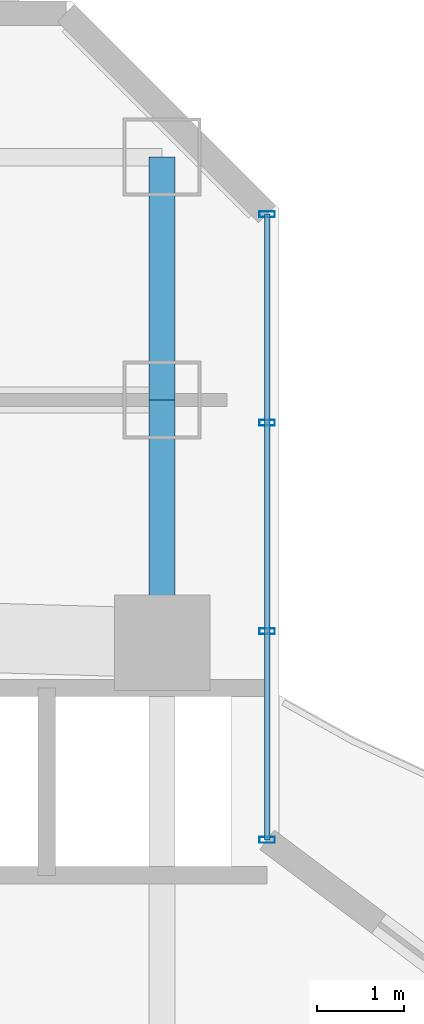
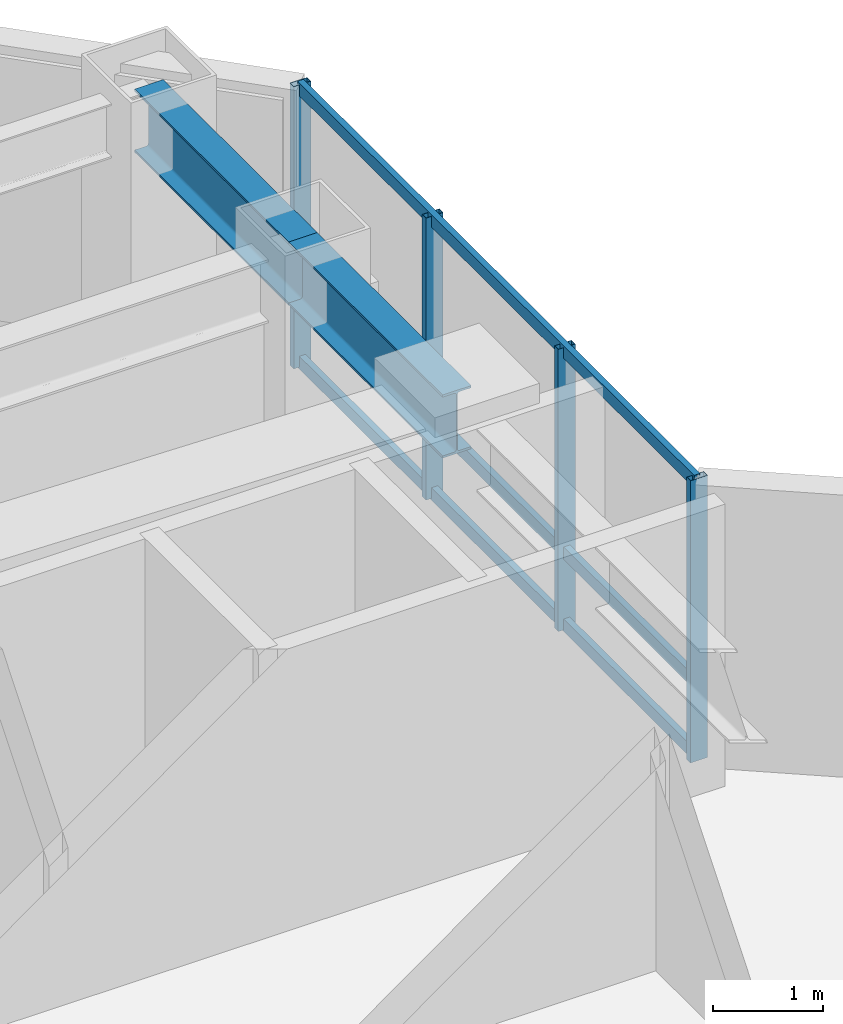
# One storey, part 25 of 36: 7 members, 2 beams, 1 element without a shape of its own.
"""IFC4 building model written with IfcOpenShell, lengths in metres."""

from ifc_helpers import new_model, si_unit, direction, frame, origin, origin_2d, place, context, subcontext, project, spatial, hollow_rectangle, i_section, extrude, material, layer, layer_set, material_profile, profile_set, type_object, element, aggregate, save


model = new_model("IFC4")

# Units and contexts
model_context = context("Model", 3, precision=1e-05, world=origin(), true_north=direction((0.0, 1.0)))
body_context = subcontext(model_context, "Body", "Model", "MODEL_VIEW")
ifc_project = project(units=[si_unit("LENGTHUNIT", "METRE"), si_unit("AREAUNIT", "SQUARE_METRE"), si_unit("VOLUMEUNIT", "CUBIC_METRE"), si_unit("PLANEANGLEUNIT", "RADIAN"), si_unit("MASSUNIT", "GRAM", prefix="KILO")], contexts=[model_context])

# Site, building, storey
site_placement = place(None, origin())
site = spatial("IfcSite", under=ifc_project, at=site_placement, CompositionType="ELEMENT")
building_placement = place(site_placement, origin())
building = spatial("IfcBuilding", under=site, at=building_placement, Name="Hatsunagi Terrace Concourse", CompositionType="ELEMENT")
storey_placement = place(building_placement, frame((0.0, 0.0, 84.64990234375)))
storey = spatial("IfcBuildingStorey", under=building, at=storey_placement, Name="L22", CompositionType="ELEMENT", Elevation=84.64990234375)

# Curtain wall, members
ifc_material_1 = material(Name="Anodised Aluminium Alloy 6063-T5", Category="aluminium")
ifc_layer = layer(ifc_material_1, 0.199951171875)
ifc_layer_set = layer_set([ifc_layer], Name="HotelFacade_CW02")
curtain_wall_type = type_object("IfcCurtainWallType", Name="HotelFacade_CW02", PredefinedType="NOTDEFINED", material=ifc_layer_set)
curtain_wall_placement = place(storey_placement, origin())
curtain_wall = element("IfcCurtainWall", 1, at=curtain_wall_placement, inside=storey, type_object=curtain_wall_type, Name="Unitised Curtain Wall CW-02 CW-L22-13", PredefinedType="NOTDEFINED")
ifc_material_2 = material(Name="Anodised Aluminium Alloy 6063-T5", Category="aluminium")
ifc_material_profile_1 = material_profile(ifc_material_2, hollow_rectangle(XDim=0.070068359375, YDim=0.179931640625, WallThickness=0.00390625, at=origin_2d()), Name="ALU-MUL-180x70x4")
ifc_profile_set_1 = profile_set([ifc_material_profile_1], Name="Anodised Aluminium Alloy 6063-T5")
member_type_1 = type_object("IfcMemberType", Name="CurtainWallMullion_180x70", PredefinedType="MULLION", material=ifc_profile_set_1)
member_1_placement = place(storey_placement, frame((44.860107421875, 47.94189453125, 0.0), z_axis=(0.0, 0.0, 1.0), x_axis=(0.0, -1.0, 0.0)))
member_1 = element("IfcMember", 2, at=member_1_placement, type_object=member_type_1, Name="Curtain Wall Mullion MUL-02", PredefinedType="MULLION", context=body_context, shape_type="SweptSolid", body=[
    extrude(hollow_rectangle(XDim=0.070068359375, YDim=0.179931640625, WallThickness=0.00390625, at=origin_2d()), origin(), (0.0, 0.0, 1.0), 3.130126953125),
])
member_2_placement = place(storey_placement, frame((44.860107421875, 45.5380859375, 0.0), z_axis=(0.0, 0.0, 1.0), x_axis=(0.0, -1.0, 0.0)))
member_2 = element("IfcMember", 3, at=member_2_placement, type_object=member_type_1, Name="Curtain Wall Mullion MUL-02", PredefinedType="MULLION", context=body_context, shape_type="SweptSolid", body=[
    extrude(hollow_rectangle(XDim=0.070068359375, YDim=0.179931640625, WallThickness=0.00390625, at=origin_2d()), origin(), (0.0, 0.0, 1.0), 3.130126953125),
])
member_3_placement = place(storey_placement, frame((44.860107421875, 43.134033203125, 0.0), z_axis=(0.0, 0.0, 1.0), x_axis=(0.0, -1.0, 0.0)))
member_3 = element("IfcMember", 4, at=member_3_placement, type_object=member_type_1, Name="Curtain Wall Mullion MUL-02", PredefinedType="MULLION", context=body_context, shape_type="SweptSolid", body=[
    extrude(hollow_rectangle(XDim=0.070068359375, YDim=0.179931640625, WallThickness=0.00390625, at=origin_2d()), origin(), (0.0, 0.0, 1.0), 3.130126953125),
])
member_4_placement = place(storey_placement, frame((44.860107421875, 40.72998046875, 0.0), z_axis=(0.0, 0.0, 1.0), x_axis=(0.0, -1.0, 0.0)))
member_4 = element("IfcMember", 5, at=member_4_placement, type_object=member_type_1, Name="Curtain Wall Mullion MUL-02", PredefinedType="MULLION", context=body_context, shape_type="SweptSolid", body=[
    extrude(hollow_rectangle(XDim=0.070068359375, YDim=0.179931640625, WallThickness=0.00390625, at=origin_2d()), origin(), (0.0, 0.0, 1.0), 3.130126953125),
])
ifc_material_3 = material(Name="Anodised Aluminium Alloy 6063-T5", Category="aluminium")
ifc_material_profile_2 = material_profile(ifc_material_3, hollow_rectangle(XDim=0.06494140625, YDim=0.139892578125, WallThickness=0.00390625, at=origin_2d()), Name="ALU-TRN-140x65x4")
ifc_profile_set_2 = profile_set([ifc_material_profile_2], Name="Anodised Aluminium Alloy 6063-T5")
member_type_2 = type_object("IfcMemberType", Name="CurtainWallTransom_140x65", PredefinedType="USERDEFINED", material=ifc_profile_set_2)
member_5_placement = place(storey_placement, frame((44.860107421875, 47.94189453125, 0.050048828125), z_axis=(0.0, -1.0, 0.0), x_axis=(1.0, 0.0, 0.0)))
member_5 = element("IfcMember", 6, at=member_5_placement, type_object=member_type_2, Name="Curtain Wall Transom TRN-02", ObjectType="TRANSOM", PredefinedType="USERDEFINED", context=body_context, shape_type="SweptSolid", body=[
    extrude(hollow_rectangle(XDim=0.06494140625, YDim=0.139892578125, WallThickness=0.00390625, at=origin_2d()), origin(), (0.0, 0.0, 1.0), 7.2119140625),
])
member_6_placement = place(storey_placement, frame((44.860107421875, 47.94189453125, 0.85009765625), z_axis=(0.0, -1.0, 0.0), x_axis=(1.0, 0.0, 0.0)))
member_6 = element("IfcMember", 7, at=member_6_placement, type_object=member_type_2, Name="Curtain Wall Transom TRN-02", ObjectType="TRANSOM", PredefinedType="USERDEFINED", context=body_context, shape_type="SweptSolid", body=[
    extrude(hollow_rectangle(XDim=0.06494140625, YDim=0.139892578125, WallThickness=0.00390625, at=origin_2d()), origin(), (0.0, 0.0, 1.0), 7.2119140625),
])
member_7_placement = place(storey_placement, frame((44.860107421875, 47.94189453125, 3.080078125), z_axis=(0.0, -1.0, 0.0), x_axis=(1.0, 0.0, 0.0)))
member_7 = element("IfcMember", 8, at=member_7_placement, type_object=member_type_2, Name="Curtain Wall Transom TRN-02", ObjectType="TRANSOM", PredefinedType="USERDEFINED", context=body_context, shape_type="SweptSolid", body=[
    extrude(hollow_rectangle(XDim=0.06494140625, YDim=0.139892578125, WallThickness=0.00390625, at=origin_2d()), origin(), (0.0, 0.0, 1.0), 7.2119140625),
])
aggregate(curtain_wall, [member_1, member_2, member_3, member_4, member_5, member_6, member_7])

# Beams
ifc_material_4 = material(Name="Steel SN490B", Category="steel")
ifc_material_profile_3 = material_profile(ifc_material_4, i_section(OverallWidth=0.300048828125, OverallDepth=0.699951171875, WebThickness=0.012939453125, FlangeThickness=0.02392578125, FilletRadius=0.02197265625, at=origin_2d()), Name="H-700x300x13x24")
ifc_profile_set_3 = profile_set([ifc_material_profile_3], Name="Steel SN490B")
beam_type = type_object("IfcBeamType", Name="HotelFloorGirder_H_700x300", PredefinedType="BEAM", material=ifc_profile_set_3)
for number, where, z_axis, x_axis, name in (
    (9, (43.64990234375, 43.0, 2.780029296875), (0.0, 1.0, 0.0), (-1.0, 0.0, 0.0), "Beam G-04 BM-L22-CN3"),
    (10, (43.64990234375, 45.800048828125, 2.780029296875), (0.0, 1.0, 0.0), (-1.0, 0.0, 0.0), "Beam G-04 BM-L22-KN-WN6"),
):
    element("IfcBeam", number, at=place(storey_placement, frame(where, z_axis=z_axis, x_axis=x_axis)), inside=storey, type_object=beam_type, Name=name, PredefinedType="BEAM", context=body_context, shape_type="SweptSolid", body=[
        extrude(i_section(OverallWidth=0.300048828125, OverallDepth=0.699951171875, WebThickness=0.012939453125, FlangeThickness=0.02392578125, FilletRadius=0.02197265625, at=origin_2d()), origin(), (0.0, 0.0, 1.0), 2.800048828125),
    ])

save(model, "model.ifc")
